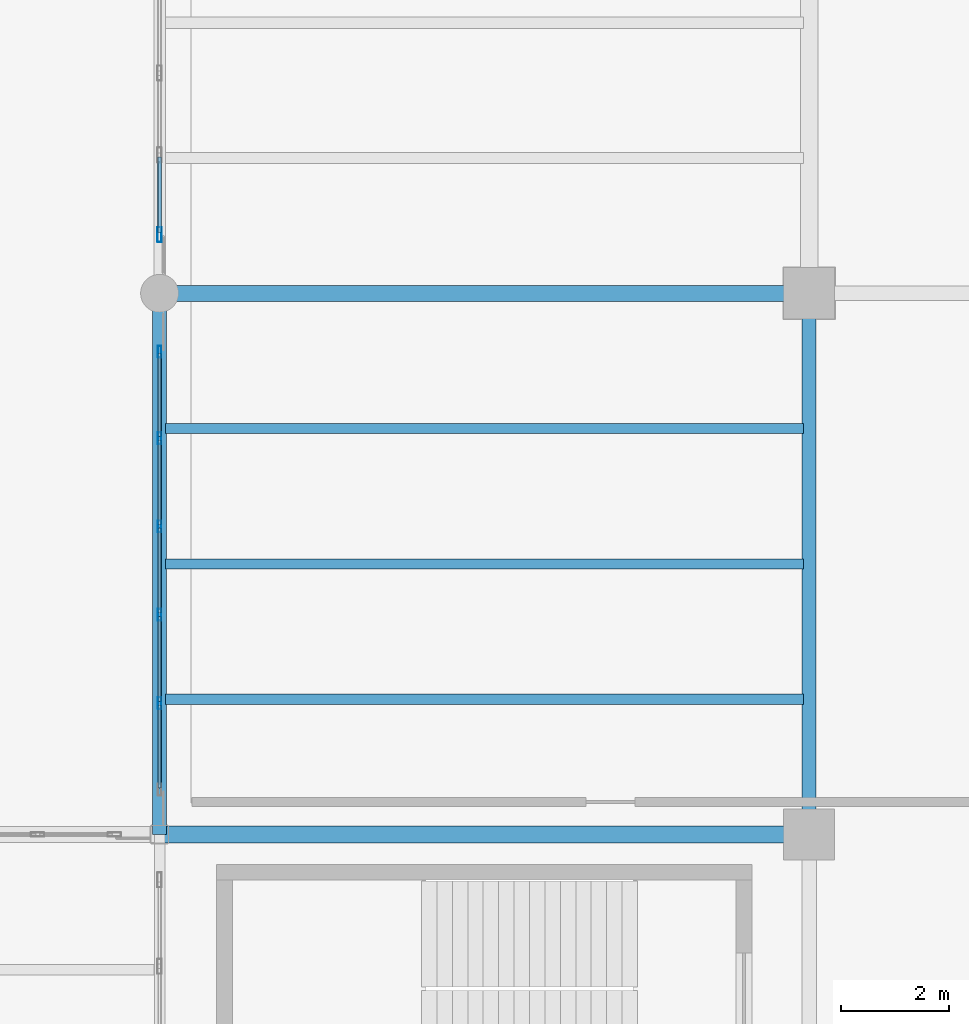
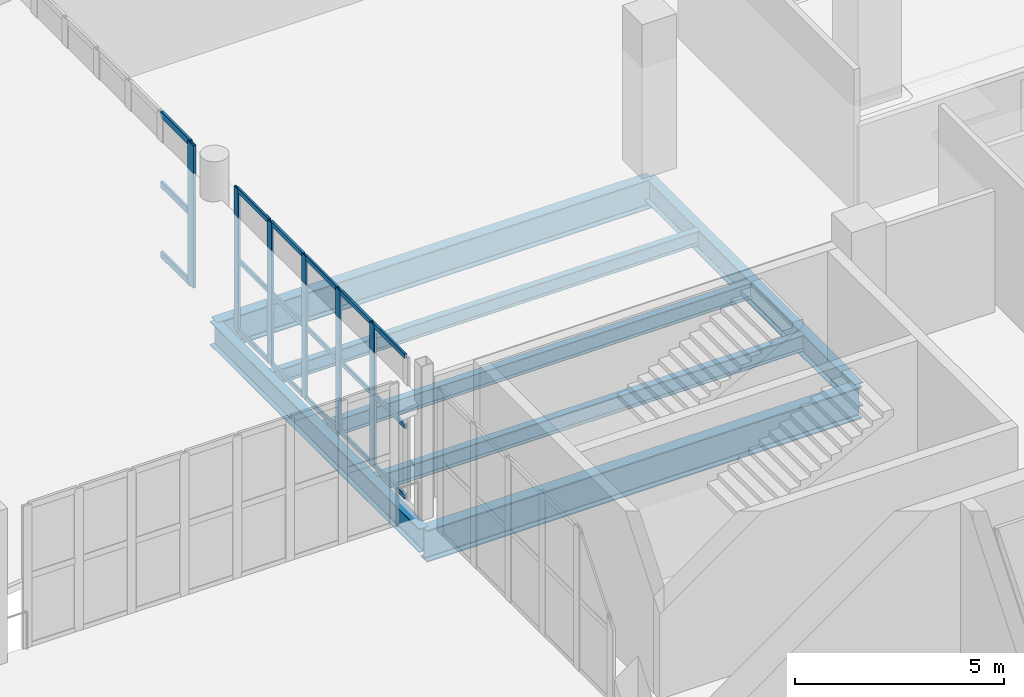
# One storey, part 16 of 90: 24 members, 7 beams, 2 elements without a shape of their own.
"""IFC4 building model written with IfcOpenShell, lengths in metres."""

from ifc_helpers import new_model, si_unit, direction, frame, origin, origin_2d, place, context, subcontext, project, spatial, hollow_rectangle, i_section, extrude, material, layer, layer_set, material_profile, profile_set, type_object, element, aggregate, save


model = new_model("IFC4")

# Units and contexts
model_context = context("Model", 3, precision=1e-05, world=origin(), true_north=direction((0.0, 1.0)))
body_context = subcontext(model_context, "Body", "Model", "MODEL_VIEW")
ifc_project = project(units=[si_unit("LENGTHUNIT", "METRE"), si_unit("AREAUNIT", "SQUARE_METRE"), si_unit("VOLUMEUNIT", "CUBIC_METRE"), si_unit("PLANEANGLEUNIT", "RADIAN"), si_unit("MASSUNIT", "GRAM", prefix="KILO")], contexts=[model_context])

# Site, building, storey
site_placement = place(None, origin())
site = spatial("IfcSite", under=ifc_project, at=site_placement, CompositionType="ELEMENT")
building_placement = place(site_placement, origin())
building = spatial("IfcBuilding", under=site, at=building_placement, Name="Brinegate Civic Arena", CompositionType="ELEMENT")
storey_placement = place(building_placement, frame((0.0, 0.0, 14.699951171875)))
storey = spatial("IfcBuildingStorey", under=building, at=storey_placement, Name="L03", CompositionType="ELEMENT", Elevation=14.699951171875)

# Curtain wall, members
ifc_material_1 = material(Name="Marine grade aluminium", Category="aluminium")
ifc_layer = layer(ifc_material_1, 0.199951171875, Name="Marine grade aluminium")
ifc_layer_set = layer_set([ifc_layer], Name="Marine grade aluminium")
curtain_wall_type = type_object("IfcCurtainWallType", Name="CW-BOWL-GLAZED-01", PredefinedType="USERDEFINED", material=ifc_layer_set)
curtain_wall_1_placement = place(storey_placement, origin())
curtain_wall_1 = element("IfcCurtainWall", 1, at=curtain_wall_1_placement, inside=storey, type_object=curtain_wall_type, Name="Curtain Wall CWA-113", ObjectType="GLAZED CURTAIN WALL", PredefinedType="USERDEFINED")
ifc_material_profile_1 = material_profile(ifc_material_1, hollow_rectangle(XDim=0.06494140625, YDim=0.219970703125, WallThickness=0.006103515625, InnerFilletRadius=0.00390625, OuterFilletRadius=0.008056640625, at=origin_2d()), Name="MUL65X220")
ifc_profile_set_1 = profile_set([ifc_material_profile_1], Name="Marine grade aluminium")
member_type_1 = type_object("IfcMemberType", Name="CW-MULLION-65X220", PredefinedType="MULLION", material=ifc_profile_set_1)
member_1_placement = place(storey_placement, frame((48.0, 54.4287109375, 0.0), z_axis=(0.0, 0.0, 1.0), x_axis=(-1.0, 0.0, 0.0)))
member_1 = element("IfcMember", 2, at=member_1_placement, type_object=member_type_1, Name="CWA-113 mullion 2", PredefinedType="MULLION", context=body_context, shape_type="SweptSolid", body=[
    extrude(hollow_rectangle(XDim=0.06494140625, YDim=0.219970703125, WallThickness=0.006103515625, InnerFilletRadius=0.00390625, OuterFilletRadius=0.008056640625, at=origin_2d()), origin(), (0.0, 0.0, 1.0), 4.16015625),
])
member_2_placement = place(storey_placement, frame((48.0, 56.060302734375, 0.0), z_axis=(0.0, 0.0, 1.0), x_axis=(-1.0, 0.0, 0.0)))
member_2 = element("IfcMember", 3, at=member_2_placement, type_object=member_type_1, Name="CWA-113 mullion 3", PredefinedType="MULLION", context=body_context, shape_type="SweptSolid", body=[
    extrude(hollow_rectangle(XDim=0.06494140625, YDim=0.219970703125, WallThickness=0.006103515625, InnerFilletRadius=0.00390625, OuterFilletRadius=0.008056640625, at=origin_2d()), origin(), (0.0, 0.0, 1.0), 4.16015625),
])
member_3_placement = place(storey_placement, frame((48.0, 57.69189453125, 0.0), z_axis=(0.0, 0.0, 1.0), x_axis=(-1.0, 0.0, 0.0)))
member_3 = element("IfcMember", 4, at=member_3_placement, type_object=member_type_1, Name="CWA-113 mullion 4", PredefinedType="MULLION", context=body_context, shape_type="SweptSolid", body=[
    extrude(hollow_rectangle(XDim=0.06494140625, YDim=0.219970703125, WallThickness=0.006103515625, InnerFilletRadius=0.00390625, OuterFilletRadius=0.008056640625, at=origin_2d()), origin(), (0.0, 0.0, 1.0), 4.16015625),
])
member_4_placement = place(storey_placement, frame((48.0, 59.323486328125, 0.0), z_axis=(0.0, 0.0, 1.0), x_axis=(-1.0, 0.0, 0.0)))
member_4 = element("IfcMember", 5, at=member_4_placement, type_object=member_type_1, Name="CWA-113 mullion 5", PredefinedType="MULLION", context=body_context, shape_type="SweptSolid", body=[
    extrude(hollow_rectangle(XDim=0.06494140625, YDim=0.219970703125, WallThickness=0.006103515625, InnerFilletRadius=0.00390625, OuterFilletRadius=0.008056640625, at=origin_2d()), origin(), (0.0, 0.0, 1.0), 4.16015625),
])
member_5_placement = place(storey_placement, frame((48.0, 60.922607421875, 0.0), z_axis=(0.0, 0.0, 1.0), x_axis=(-1.0, 0.0, 0.0)))
member_5 = element("IfcMember", 6, at=member_5_placement, type_object=member_type_1, Name="CWA-113 mullion 6", PredefinedType="MULLION", context=body_context, shape_type="SweptSolid", body=[
    extrude(hollow_rectangle(XDim=0.06494140625, YDim=0.219970703125, WallThickness=0.006103515625, InnerFilletRadius=0.00390625, OuterFilletRadius=0.008056640625, at=origin_2d()), origin(), (0.0, 0.0, 1.0), 4.16015625),
])

# Curtain wall, member
curtain_wall_2_placement = place(storey_placement, origin())
curtain_wall_2 = element("IfcCurtainWall", 7, at=curtain_wall_2_placement, inside=storey, type_object=curtain_wall_type, Name="Curtain Wall CWA-115", ObjectType="GLAZED CURTAIN WALL", PredefinedType="USERDEFINED")
ifc_material_profile_2 = material_profile(ifc_material_1, hollow_rectangle(XDim=0.080078125, YDim=0.280029296875, WallThickness=0.007080078125, InnerFilletRadius=0.0048828125, OuterFilletRadius=0.010009765625, at=origin_2d()), Name="MUL80X280")
ifc_profile_set_2 = profile_set([ifc_material_profile_2], Name="Marine grade aluminium")
member_type_2 = type_object("IfcMemberType", Name="CW-MULLION-80X280", PredefinedType="MULLION", material=ifc_profile_set_2)
member_6_placement = place(storey_placement, frame((48.0, 63.0849609375, 0.0), z_axis=(0.0, 0.0, 1.0), x_axis=(-1.0, 0.0, 0.0)))
member_6 = element("IfcMember", 8, at=member_6_placement, type_object=member_type_2, Name="CWA-115 mullion 1", PredefinedType="MULLION", context=body_context, shape_type="SweptSolid", body=[
    extrude(hollow_rectangle(XDim=0.080078125, YDim=0.280029296875, WallThickness=0.007080078125, InnerFilletRadius=0.0048828125, OuterFilletRadius=0.010009765625, at=origin_2d()), origin(), (0.0, 0.0, 1.0), 4.16015625),
])

# Member
ifc_material_profile_3 = material_profile(ifc_material_1, hollow_rectangle(XDim=0.06494140625, YDim=0.139892578125, WallThickness=0.0048828125, InnerFilletRadius=0.00390625, OuterFilletRadius=0.008056640625, at=origin_2d()), Name="TRN65X140")
ifc_profile_set_3 = profile_set([ifc_material_profile_3], Name="Marine grade aluminium")
member_type_3 = type_object("IfcMemberType", Name="CW-TRANSOM-65X140", PredefinedType="USERDEFINED", material=ifc_profile_set_3)
member_7_placement = place(storey_placement, frame((48.0, 52.862060546875, 0.032470703125), z_axis=(0.0, 1.0, 0.0), x_axis=(-1.0, 0.0, 0.0)))
member_7 = element("IfcMember", 9, at=member_7_placement, type_object=member_type_3, Name="CWA-113 transom 1.1", ObjectType="TRANSOM", PredefinedType="USERDEFINED", context=body_context, shape_type="SweptSolid", body=[
    extrude(hollow_rectangle(XDim=0.06494140625, YDim=0.139892578125, WallThickness=0.0048828125, InnerFilletRadius=0.00390625, OuterFilletRadius=0.008056640625, at=origin_2d()), origin(), (0.0, 0.0, 1.0), 1.533935546875),
])

member_8_placement = place(storey_placement, frame((48.0, 52.862060546875, 2.080078125), z_axis=(0.0, 1.0, 0.0), x_axis=(-1.0, 0.0, 0.0)))
member_8 = element("IfcMember", 10, at=member_8_placement, type_object=member_type_3, Name="CWA-113 transom 1.2", ObjectType="TRANSOM", PredefinedType="USERDEFINED", context=body_context, shape_type="SweptSolid", body=[
    extrude(hollow_rectangle(XDim=0.06494140625, YDim=0.139892578125, WallThickness=0.0048828125, InnerFilletRadius=0.00390625, OuterFilletRadius=0.008056640625, at=origin_2d()), origin(), (0.0, 0.0, 1.0), 1.533935546875),
])

member_9_placement = place(storey_placement, frame((48.0, 52.862060546875, 4.12744140625), z_axis=(0.0, 1.0, 0.0), x_axis=(-1.0, 0.0, 0.0)))
member_9 = element("IfcMember", 11, at=member_9_placement, type_object=member_type_3, Name="CWA-113 transom 1.3", ObjectType="TRANSOM", PredefinedType="USERDEFINED", context=body_context, shape_type="SweptSolid", body=[
    extrude(hollow_rectangle(XDim=0.06494140625, YDim=0.139892578125, WallThickness=0.0048828125, InnerFilletRadius=0.00390625, OuterFilletRadius=0.008056640625, at=origin_2d()), origin(), (0.0, 0.0, 1.0), 1.533935546875),
])

member_10_placement = place(storey_placement, frame((48.0, 54.461181640625, 0.032470703125), z_axis=(0.0, 1.0, 0.0), x_axis=(-1.0, 0.0, 0.0)))
member_10 = element("IfcMember", 12, at=member_10_placement, type_object=member_type_3, Name="CWA-113 transom 2.1", ObjectType="TRANSOM", PredefinedType="USERDEFINED", context=body_context, shape_type="SweptSolid", body=[
    extrude(hollow_rectangle(XDim=0.06494140625, YDim=0.139892578125, WallThickness=0.0048828125, InnerFilletRadius=0.00390625, OuterFilletRadius=0.008056640625, at=origin_2d()), origin(), (0.0, 0.0, 1.0), 1.56640625),
])

member_11_placement = place(storey_placement, frame((48.0, 54.461181640625, 2.080078125), z_axis=(0.0, 1.0, 0.0), x_axis=(-1.0, 0.0, 0.0)))
member_11 = element("IfcMember", 13, at=member_11_placement, type_object=member_type_3, Name="CWA-113 transom 2.2", ObjectType="TRANSOM", PredefinedType="USERDEFINED", context=body_context, shape_type="SweptSolid", body=[
    extrude(hollow_rectangle(XDim=0.06494140625, YDim=0.139892578125, WallThickness=0.0048828125, InnerFilletRadius=0.00390625, OuterFilletRadius=0.008056640625, at=origin_2d()), origin(), (0.0, 0.0, 1.0), 1.56640625),
])

member_12_placement = place(storey_placement, frame((48.0, 54.461181640625, 4.12744140625), z_axis=(0.0, 1.0, 0.0), x_axis=(-1.0, 0.0, 0.0)))
member_12 = element("IfcMember", 14, at=member_12_placement, type_object=member_type_3, Name="CWA-113 transom 2.3", ObjectType="TRANSOM", PredefinedType="USERDEFINED", context=body_context, shape_type="SweptSolid", body=[
    extrude(hollow_rectangle(XDim=0.06494140625, YDim=0.139892578125, WallThickness=0.0048828125, InnerFilletRadius=0.00390625, OuterFilletRadius=0.008056640625, at=origin_2d()), origin(), (0.0, 0.0, 1.0), 1.56640625),
])

member_13_placement = place(storey_placement, frame((48.0, 56.0927734375, 0.032470703125), z_axis=(0.0, 1.0, 0.0), x_axis=(-1.0, 0.0, 0.0)))
member_13 = element("IfcMember", 15, at=member_13_placement, type_object=member_type_3, Name="CWA-113 transom 3.1", ObjectType="TRANSOM", PredefinedType="USERDEFINED", context=body_context, shape_type="SweptSolid", body=[
    extrude(hollow_rectangle(XDim=0.06494140625, YDim=0.139892578125, WallThickness=0.0048828125, InnerFilletRadius=0.00390625, OuterFilletRadius=0.008056640625, at=origin_2d()), origin(), (0.0, 0.0, 1.0), 1.56640625),
])

member_14_placement = place(storey_placement, frame((48.0, 56.0927734375, 2.080078125), z_axis=(0.0, 1.0, 0.0), x_axis=(-1.0, 0.0, 0.0)))
member_14 = element("IfcMember", 16, at=member_14_placement, type_object=member_type_3, Name="CWA-113 transom 3.2", ObjectType="TRANSOM", PredefinedType="USERDEFINED", context=body_context, shape_type="SweptSolid", body=[
    extrude(hollow_rectangle(XDim=0.06494140625, YDim=0.139892578125, WallThickness=0.0048828125, InnerFilletRadius=0.00390625, OuterFilletRadius=0.008056640625, at=origin_2d()), origin(), (0.0, 0.0, 1.0), 1.56640625),
])

member_15_placement = place(storey_placement, frame((48.0, 56.0927734375, 4.12744140625), z_axis=(0.0, 1.0, 0.0), x_axis=(-1.0, 0.0, 0.0)))
member_15 = element("IfcMember", 17, at=member_15_placement, type_object=member_type_3, Name="CWA-113 transom 3.3", ObjectType="TRANSOM", PredefinedType="USERDEFINED", context=body_context, shape_type="SweptSolid", body=[
    extrude(hollow_rectangle(XDim=0.06494140625, YDim=0.139892578125, WallThickness=0.0048828125, InnerFilletRadius=0.00390625, OuterFilletRadius=0.008056640625, at=origin_2d()), origin(), (0.0, 0.0, 1.0), 1.56640625),
])

member_16_placement = place(storey_placement, frame((48.0, 57.724365234375, 0.032470703125), z_axis=(0.0, 1.0, 0.0), x_axis=(-1.0, 0.0, 0.0)))
member_16 = element("IfcMember", 18, at=member_16_placement, type_object=member_type_3, Name="CWA-113 transom 4.1", ObjectType="TRANSOM", PredefinedType="USERDEFINED", context=body_context, shape_type="SweptSolid", body=[
    extrude(hollow_rectangle(XDim=0.06494140625, YDim=0.139892578125, WallThickness=0.0048828125, InnerFilletRadius=0.00390625, OuterFilletRadius=0.008056640625, at=origin_2d()), origin(), (0.0, 0.0, 1.0), 1.566650390625),
])

member_17_placement = place(storey_placement, frame((48.0, 57.724365234375, 2.080078125), z_axis=(0.0, 1.0, 0.0), x_axis=(-1.0, 0.0, 0.0)))
member_17 = element("IfcMember", 19, at=member_17_placement, type_object=member_type_3, Name="CWA-113 transom 4.2", ObjectType="TRANSOM", PredefinedType="USERDEFINED", context=body_context, shape_type="SweptSolid", body=[
    extrude(hollow_rectangle(XDim=0.06494140625, YDim=0.139892578125, WallThickness=0.0048828125, InnerFilletRadius=0.00390625, OuterFilletRadius=0.008056640625, at=origin_2d()), origin(), (0.0, 0.0, 1.0), 1.566650390625),
])

member_18_placement = place(storey_placement, frame((48.0, 57.724365234375, 4.12744140625), z_axis=(0.0, 1.0, 0.0), x_axis=(-1.0, 0.0, 0.0)))
member_18 = element("IfcMember", 20, at=member_18_placement, type_object=member_type_3, Name="CWA-113 transom 4.3", ObjectType="TRANSOM", PredefinedType="USERDEFINED", context=body_context, shape_type="SweptSolid", body=[
    extrude(hollow_rectangle(XDim=0.06494140625, YDim=0.139892578125, WallThickness=0.0048828125, InnerFilletRadius=0.00390625, OuterFilletRadius=0.008056640625, at=origin_2d()), origin(), (0.0, 0.0, 1.0), 1.566650390625),
])

member_19_placement = place(storey_placement, frame((48.0, 59.35595703125, 0.032470703125), z_axis=(0.0, 1.0, 0.0), x_axis=(-1.0, 0.0, 0.0)))
member_19 = element("IfcMember", 21, at=member_19_placement, type_object=member_type_3, Name="CWA-113 transom 5.1", ObjectType="TRANSOM", PredefinedType="USERDEFINED", context=body_context, shape_type="SweptSolid", body=[
    extrude(hollow_rectangle(XDim=0.06494140625, YDim=0.139892578125, WallThickness=0.0048828125, InnerFilletRadius=0.00390625, OuterFilletRadius=0.008056640625, at=origin_2d()), origin(), (0.0, 0.0, 1.0), 1.533935546875),
])

member_20_placement = place(storey_placement, frame((48.0, 59.35595703125, 2.080078125), z_axis=(0.0, 1.0, 0.0), x_axis=(-1.0, 0.0, 0.0)))
member_20 = element("IfcMember", 22, at=member_20_placement, type_object=member_type_3, Name="CWA-113 transom 5.2", ObjectType="TRANSOM", PredefinedType="USERDEFINED", context=body_context, shape_type="SweptSolid", body=[
    extrude(hollow_rectangle(XDim=0.06494140625, YDim=0.139892578125, WallThickness=0.0048828125, InnerFilletRadius=0.00390625, OuterFilletRadius=0.008056640625, at=origin_2d()), origin(), (0.0, 0.0, 1.0), 1.533935546875),
])

member_21_placement = place(storey_placement, frame((48.0, 59.35595703125, 4.12744140625), z_axis=(0.0, 1.0, 0.0), x_axis=(-1.0, 0.0, 0.0)))
member_21 = element("IfcMember", 23, at=member_21_placement, type_object=member_type_3, Name="CWA-113 transom 5.3", ObjectType="TRANSOM", PredefinedType="USERDEFINED", context=body_context, shape_type="SweptSolid", body=[
    extrude(hollow_rectangle(XDim=0.06494140625, YDim=0.139892578125, WallThickness=0.0048828125, InnerFilletRadius=0.00390625, OuterFilletRadius=0.008056640625, at=origin_2d()), origin(), (0.0, 0.0, 1.0), 1.533935546875),
])

aggregate(curtain_wall_1, [member_1, member_2, member_3, member_4, member_5, member_7, member_8, member_9, member_10, member_11, member_12, member_13, member_14, member_15, member_16, member_17, member_18, member_19, member_20, member_21])

ifc_material_profile_4 = material_profile(ifc_material_1, hollow_rectangle(XDim=0.074951171875, YDim=0.18994140625, WallThickness=0.006103515625, InnerFilletRadius=0.00390625, OuterFilletRadius=0.008056640625, at=origin_2d()), Name="TRN75X190")
ifc_profile_set_4 = profile_set([ifc_material_profile_4], Name="Marine grade aluminium")
member_type_4 = type_object("IfcMemberType", Name="CW-TRANSOM-75X190", PredefinedType="USERDEFINED", material=ifc_profile_set_4)
member_22_placement = place(storey_placement, frame((48.0, 63.125, 0.03759765625), z_axis=(0.0, 1.0, 0.0), x_axis=(-1.0, 0.0, 0.0)))
member_22 = element("IfcMember", 24, at=member_22_placement, type_object=member_type_4, Name="CWA-115 transom 1.1", ObjectType="TRANSOM", PredefinedType="USERDEFINED", context=body_context, shape_type="SweptSolid", body=[
    extrude(hollow_rectangle(XDim=0.074951171875, YDim=0.18994140625, WallThickness=0.006103515625, InnerFilletRadius=0.00390625, OuterFilletRadius=0.008056640625, at=origin_2d()), origin(), (0.0, 0.0, 1.0), 1.39111328125),
])

member_23_placement = place(storey_placement, frame((48.0, 63.125, 2.080078125), z_axis=(0.0, 1.0, 0.0), x_axis=(-1.0, 0.0, 0.0)))
member_23 = element("IfcMember", 25, at=member_23_placement, type_object=member_type_4, Name="CWA-115 transom 1.2", ObjectType="TRANSOM", PredefinedType="USERDEFINED", context=body_context, shape_type="SweptSolid", body=[
    extrude(hollow_rectangle(XDim=0.074951171875, YDim=0.18994140625, WallThickness=0.006103515625, InnerFilletRadius=0.00390625, OuterFilletRadius=0.008056640625, at=origin_2d()), origin(), (0.0, 0.0, 1.0), 1.39111328125),
])

member_24_placement = place(storey_placement, frame((48.0, 63.125, 4.12255859375), z_axis=(0.0, 1.0, 0.0), x_axis=(-1.0, 0.0, 0.0)))
member_24 = element("IfcMember", 26, at=member_24_placement, type_object=member_type_4, Name="CWA-115 transom 1.3", ObjectType="TRANSOM", PredefinedType="USERDEFINED", context=body_context, shape_type="SweptSolid", body=[
    extrude(hollow_rectangle(XDim=0.074951171875, YDim=0.18994140625, WallThickness=0.006103515625, InnerFilletRadius=0.00390625, OuterFilletRadius=0.008056640625, at=origin_2d()), origin(), (0.0, 0.0, 1.0), 1.39111328125),
])

aggregate(curtain_wall_2, [member_6, member_22, member_23, member_24])

# Beams
ifc_material_2 = material(Name="Steel S355", Category="steel")
ifc_material_profile_5 = material_profile(ifc_material_2, i_section(OverallWidth=0.256103515625, OverallDepth=0.693115234375, WebThickness=0.014892578125, FlangeThickness=0.02392578125, FilletRadius=0.01806640625, at=origin_2d()), Name="W690X170")
ifc_profile_set_5 = profile_set([ifc_material_profile_5], Name="Steel S355")
beam_type_1 = type_object("IfcBeamType", Name="GIRDER-W690X170", PredefinedType="BEAM", material=ifc_profile_set_5)
beam_1_placement = place(storey_placement, frame((60.0, 52.0, -0.696044921875), z_axis=(0.0, 1.0, 0.0), x_axis=(-1.0, 0.0, 0.0)))
element("IfcBeam", 27, at=beam_1_placement, inside=storey, type_object=beam_type_1, Name="Floor Girder BM-L03-GY-05-05", PredefinedType="BEAM", context=body_context, shape_type="SweptSolid", body=[
    extrude(i_section(OverallWidth=0.256103515625, OverallDepth=0.693115234375, WebThickness=0.014892578125, FlangeThickness=0.02392578125, FilletRadius=0.01806640625, at=origin_2d()), origin(), (0.0, 0.0, 1.0), 10.0),
])
ifc_material_profile_6 = material_profile(ifc_material_2, i_section(OverallWidth=0.2939453125, OverallDepth=0.85107421875, WebThickness=0.01611328125, FlangeThickness=0.027099609375, FilletRadius=0.02197265625, at=origin_2d()), Name="W840X226")
ifc_profile_set_6 = profile_set([ifc_material_profile_6], Name="Steel S355")
beam_type_2 = type_object("IfcBeamType", Name="GIRDER-W840X226", PredefinedType="BEAM", material=ifc_profile_set_6)
beam_2_placement = place(storey_placement, frame((48.0, 62.0, -0.77490234375), z_axis=(1.0, 0.0, 0.0), x_axis=(0.0, 1.0, 0.0)))
element("IfcBeam", 28, at=beam_2_placement, inside=storey, type_object=beam_type_2, Name="Floor Girder BM-L03-GX-04-06", PredefinedType="BEAM", context=body_context, shape_type="SweptSolid", body=[
    extrude(i_section(OverallWidth=0.2939453125, OverallDepth=0.85107421875, WebThickness=0.01611328125, FlangeThickness=0.027099609375, FilletRadius=0.02197265625, at=origin_2d()), origin(), (0.0, 0.0, 1.0), 12.0),
])
ifc_material_profile_7 = material_profile(ifc_material_2, i_section(OverallWidth=0.30810546875, OverallDepth=0.927001953125, WebThickness=0.01904296875, FlangeThickness=0.031982421875, FilletRadius=0.02392578125, at=origin_2d()), Name="W920X289")
ifc_profile_set_7 = profile_set([ifc_material_profile_7], Name="Steel S355")
beam_type_3 = type_object("IfcBeamType", Name="GIRDER-W920X289", PredefinedType="BEAM", material=ifc_profile_set_7)
beam_3_placement = place(storey_placement, frame((48.0, 52.0, -0.81298828125), z_axis=(1.0, 0.0, 0.0), x_axis=(0.0, 1.0, 0.0)))
element("IfcBeam", 29, at=beam_3_placement, inside=storey, type_object=beam_type_3, Name="Floor Girder BM-L03-GX-04-05", PredefinedType="BEAM", context=body_context, shape_type="SweptSolid", body=[
    extrude(i_section(OverallWidth=0.30810546875, OverallDepth=0.927001953125, WebThickness=0.01904296875, FlangeThickness=0.031982421875, FilletRadius=0.02392578125, at=origin_2d()), origin(), (0.0, 0.0, 1.0), 12.0),
])
ifc_material_profile_8 = material_profile(ifc_material_2, i_section(OverallWidth=0.180908203125, OverallDepth=0.4169921875, WebThickness=0.010986328125, FlangeThickness=0.01806640625, FilletRadius=0.013916015625, at=origin_2d()), Name="W410X85")
ifc_profile_set_8 = profile_set([ifc_material_profile_8], Name="Steel S355")
beam_type_4 = type_object("IfcBeamType", Name="JOIST-W410X85", PredefinedType="JOIST", material=ifc_profile_set_8)
beam_4_placement = place(storey_placement, frame((48.10595703125, 59.5, -0.557861328125), z_axis=(1.0, 0.0, 0.0), x_axis=(0.0, 1.0, 0.0)))
element("IfcBeam", 30, at=beam_4_placement, inside=storey, type_object=beam_type_4, Name="Secondary Joist BM-L03-JX-04-05-3", PredefinedType="JOIST", context=body_context, shape_type="SweptSolid", body=[
    extrude(i_section(OverallWidth=0.180908203125, OverallDepth=0.4169921875, WebThickness=0.010986328125, FlangeThickness=0.01806640625, FilletRadius=0.013916015625, at=origin_2d()), origin(), (0.0, 0.0, 1.0), 11.7880859375),
])
ifc_material_profile_9 = material_profile(ifc_material_2, i_section(OverallWidth=0.195068359375, OverallDepth=0.472900390625, WebThickness=0.011962890625, FlangeThickness=0.02197265625, FilletRadius=0.014892578125, at=origin_2d()), Name="W460X113")
ifc_profile_set_9 = profile_set([ifc_material_profile_9], Name="Steel S355")
beam_type_5 = type_object("IfcBeamType", Name="JOIST-W460X113", PredefinedType="JOIST", material=ifc_profile_set_9)
beam_5_placement = place(storey_placement, frame((48.10595703125, 54.5, -0.5859375), z_axis=(1.0, 0.0, 0.0), x_axis=(0.0, 1.0, 0.0)))
element("IfcBeam", 31, at=beam_5_placement, inside=storey, type_object=beam_type_5, Name="Secondary Joist BM-L03-JX-04-05-1", PredefinedType="JOIST", context=body_context, shape_type="SweptSolid", body=[
    extrude(i_section(OverallWidth=0.195068359375, OverallDepth=0.472900390625, WebThickness=0.011962890625, FlangeThickness=0.02197265625, FilletRadius=0.014892578125, at=origin_2d()), origin(), (0.0, 0.0, 1.0), 11.7880859375),
])
ifc_material_profile_10 = material_profile(ifc_material_2, i_section(OverallWidth=0.19091796875, OverallDepth=0.4599609375, WebThickness=0.010009765625, FlangeThickness=0.01611328125, FilletRadius=0.014892578125, at=origin_2d()), Name="W460X82")
ifc_profile_set_10 = profile_set([ifc_material_profile_10], Name="Steel S355")
beam_type_6 = type_object("IfcBeamType", Name="JOIST-W460X82", PredefinedType="JOIST", material=ifc_profile_set_10)
beam_6_placement = place(storey_placement, frame((48.10595703125, 57.0, -0.579833984375), z_axis=(1.0, 0.0, 0.0), x_axis=(0.0, 1.0, 0.0)))
element("IfcBeam", 32, at=beam_6_placement, inside=storey, type_object=beam_type_6, Name="Secondary Joist BM-L03-JX-04-05-2", PredefinedType="JOIST", context=body_context, shape_type="SweptSolid", body=[
    extrude(i_section(OverallWidth=0.19091796875, OverallDepth=0.4599609375, WebThickness=0.010009765625, FlangeThickness=0.01611328125, FilletRadius=0.014892578125, at=origin_2d()), origin(), (0.0, 0.0, 1.0), 11.7880859375),
])
ifc_material_profile_11 = material_profile(ifc_material_2, i_section(OverallWidth=0.256103515625, OverallDepth=0.693115234375, WebThickness=0.014892578125, FlangeThickness=0.02392578125, FilletRadius=0.01806640625, at=origin_2d()), Name="W690X170")
ifc_profile_set_11 = profile_set([ifc_material_profile_11], Name="Steel S355")
beam_type_7 = type_object("IfcBeamType", Name="SPANDREL-W690X170", PredefinedType="SPANDREL", material=ifc_profile_set_11)
beam_7_placement = place(storey_placement, frame((48.0, 52.0, -0.696044921875), z_axis=(0.0, 1.0, 0.0), x_axis=(-1.0, 0.0, 0.0)))
element("IfcBeam", 33, at=beam_7_placement, inside=storey, type_object=beam_type_7, Name="Floor Girder BM-L03-GY-04-05", PredefinedType="SPANDREL", context=body_context, shape_type="SweptSolid", body=[
    extrude(i_section(OverallWidth=0.256103515625, OverallDepth=0.693115234375, WebThickness=0.014892578125, FlangeThickness=0.02392578125, FilletRadius=0.01806640625, at=origin_2d()), origin(), (0.0, 0.0, 1.0), 10.0),
])

save(model, "model.ifc")
